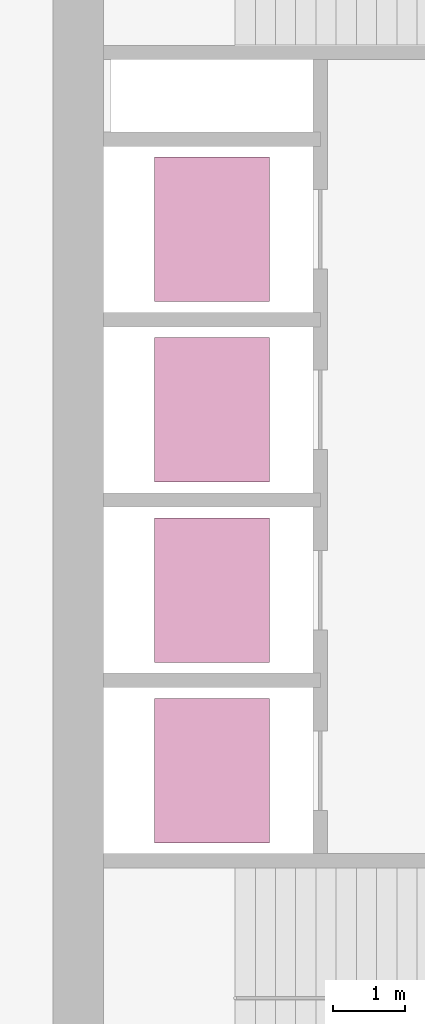
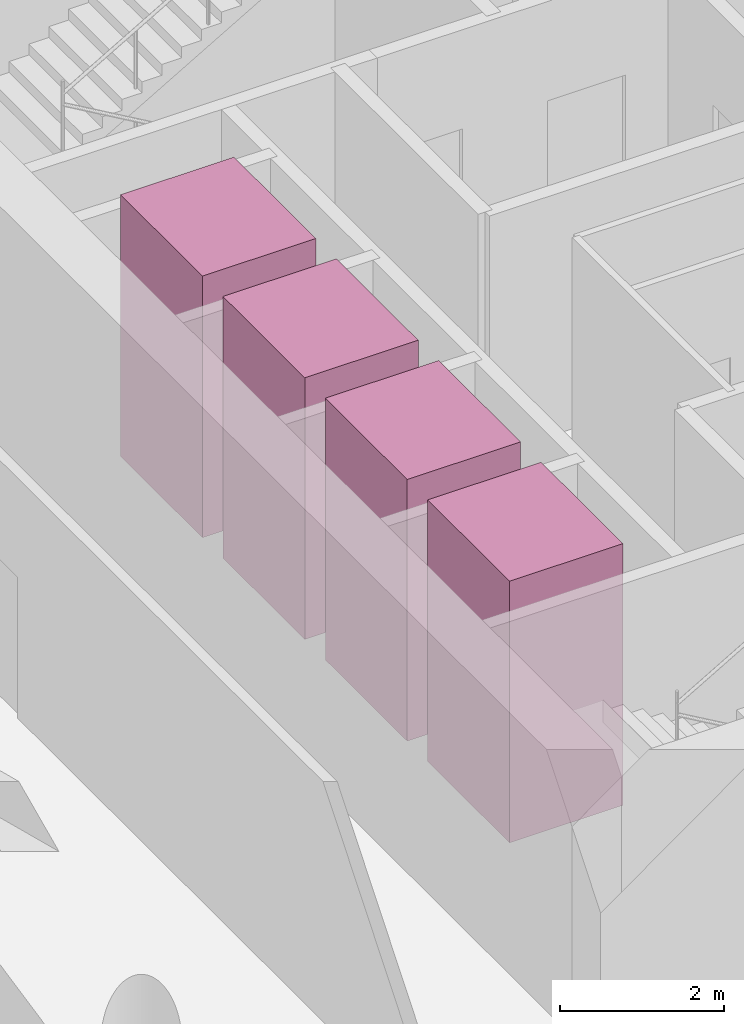
# One storey, part 9 of 9: 4 transport elements.
"""IFC4 building model written with IfcOpenShell, lengths in metres."""

from ifc_helpers import new_model, si_unit, direction, frame, origin, origin_2d, place, context, subcontext, project, spatial, rectangle, extrude, material, type_object, element, save


model = new_model("IFC4")

# Units and contexts
model_context = context("Model", 3, precision=1e-05, world=origin(), true_north=direction((0.0, 1.0)))
body_context = subcontext(model_context, "Body", "Model", "MODEL_VIEW")
ifc_project = project(units=[si_unit("LENGTHUNIT", "METRE"), si_unit("AREAUNIT", "SQUARE_METRE"), si_unit("VOLUMEUNIT", "CUBIC_METRE"), si_unit("PLANEANGLEUNIT", "RADIAN"), si_unit("MASSUNIT", "GRAM", prefix="KILO")], contexts=[model_context])

# Site, building, storey
site_placement = place(None, origin())
site = spatial("IfcSite", under=ifc_project, at=site_placement, CompositionType="ELEMENT")
building_placement = place(site_placement, origin())
building = spatial("IfcBuilding", under=site, at=building_placement, Name="Qaws Garden Tower", CompositionType="ELEMENT")
storey_placement = place(building_placement, frame((0.0, 0.0, 143.39990234375)))
storey = spatial("IfcBuildingStorey", under=building, at=storey_placement, Name="L34", CompositionType="ELEMENT", Elevation=143.39990234375)

# Transport elements
ifc_material = material(Name="Stainless steel 316", Category="steel")
transport_element_type = type_object("IfcTransportElementType", Name="Passenger lift car 2000x1600 1800 kg", PredefinedType="ELEVATOR", material=ifc_material)
for number, where, z_axis, x_axis, name in (
    (1, (10.199951171875, 13.64990234375, 0.000244140625), (0.0, 0.0, 1.0), (1.0, 0.0, 0.0), "MR1"),
    (2, (10.199951171875, 16.14990234375, 0.000244140625), (0.0, 0.0, 1.0), (1.0, 0.0, 0.0), "MR2"),
    (3, (10.199951171875, 18.64990234375, 0.000244140625), (0.0, 0.0, 1.0), (1.0, 0.0, 0.0), "MR3"),
    (4, (10.199951171875, 21.14990234375, 0.000244140625), (0.0, 0.0, 1.0), (1.0, 0.0, 0.0), "MR4"),
):
    element("IfcTransportElement", number, at=place(storey_placement, frame(where, z_axis=z_axis, x_axis=x_axis)), inside=storey, type_object=transport_element_type, Name=name, PredefinedType="ELEVATOR", context=body_context, shape_type="SweptSolid", body=[
        extrude(rectangle(XDim=1.60009765625, YDim=2.0, at=origin_2d()), origin(), (0.0, 0.0, 1.0), 3.89990234375),
    ])

save(model, "model.ifc")
